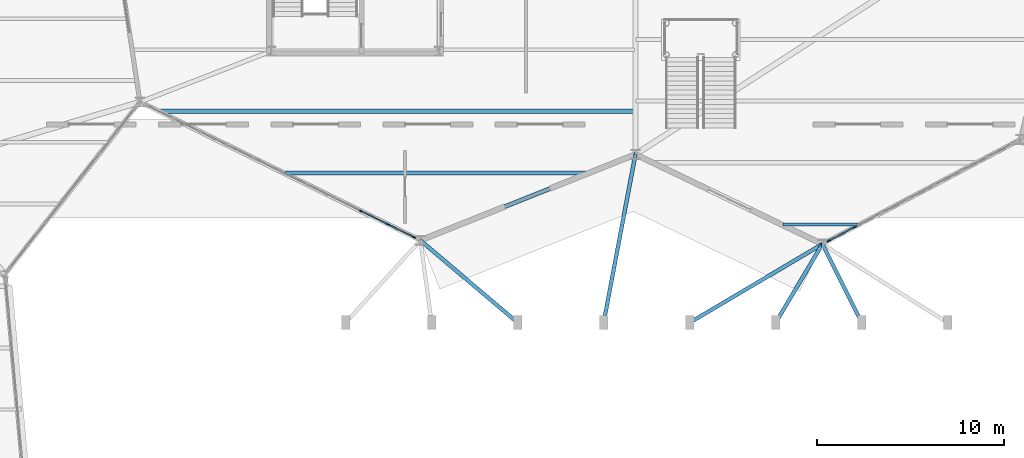
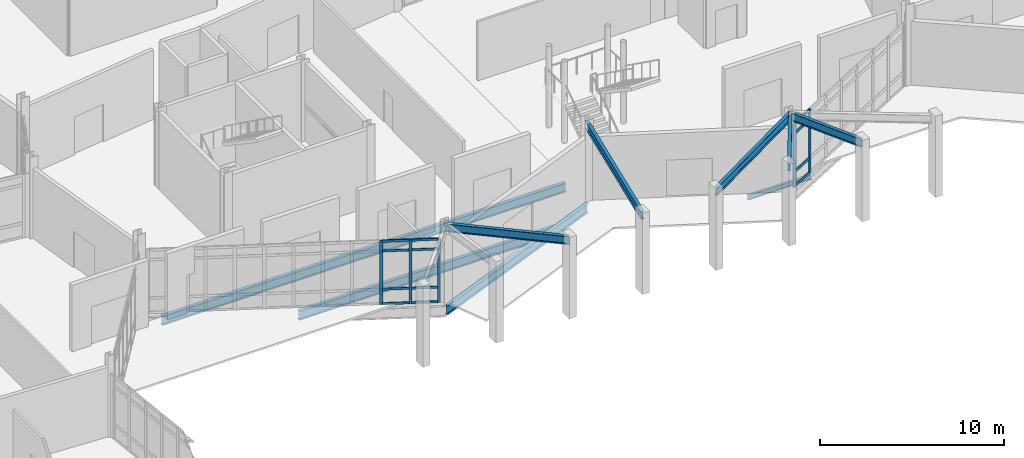
# One storey, part 34 of 113: 17 members, 9 beams, 2 elements without a shape of their own.
"""IFC4 building model written with IfcOpenShell, lengths in metres."""

from ifc_helpers import new_model, si_unit, direction, frame, origin, origin_2d, place, context, subcontext, project, spatial, rectangle, i_section, extrude, material, material_profile, profile_set, type_object, element, aggregate, save


model = new_model("IFC4")

# Units and contexts
model_context = context("Model", 3, precision=1e-05, world=origin(), true_north=direction((0.0, 1.0)))
body_context = subcontext(model_context, "Body", "Model", "MODEL_VIEW")
ifc_project = project(units=[si_unit("LENGTHUNIT", "METRE"), si_unit("AREAUNIT", "SQUARE_METRE"), si_unit("VOLUMEUNIT", "CUBIC_METRE"), si_unit("PLANEANGLEUNIT", "RADIAN"), si_unit("MASSUNIT", "GRAM", prefix="KILO")], contexts=[model_context])

# Site, building, storey
site_placement = place(None, origin())
site = spatial("IfcSite", under=ifc_project, at=site_placement, CompositionType="ELEMENT")
building_placement = place(site_placement, origin())
building = spatial("IfcBuilding", under=site, at=building_placement, Name="Tameran Prism Museum", CompositionType="ELEMENT")
storey_placement = place(building_placement, origin())
storey = spatial("IfcBuildingStorey", under=building, at=storey_placement, Name="L00", CompositionType="ELEMENT", Elevation=0.0)

# Beams
ifc_material_1 = material(Name="Steel Grade 300PLUS (300 MPa)", Category="steel")
ifc_material_profile_1 = material_profile(ifc_material_1, i_section(OverallWidth=0.1650390625, OverallDepth=0.303955078125, WebThickness=0.006103515625, FlangeThickness=0.01025390625, FilletRadius=0.011474609375, at=origin_2d()))
ifc_profile_set_1 = profile_set([ifc_material_profile_1])
beam_type_1 = type_object("IfcBeamType", Name="BM-J310B", PredefinedType="JOIST", material=ifc_profile_set_1)
beam_1_placement = place(storey_placement, frame((85.405029296875, 23.64990234375, -0.39208984375), z_axis=(1.0, 0.0, 0.0), x_axis=(0.0, 1.0, 0.0)))
element("IfcBeam", 1, at=beam_1_placement, inside=storey, type_object=beam_type_1, Name="Floor Beam BM-0209", PredefinedType="JOIST", context=body_context, shape_type="SweptSolid", body=[
    extrude(i_section(OverallWidth=0.1650390625, OverallDepth=0.303955078125, WebThickness=0.006103515625, FlangeThickness=0.01025390625, FilletRadius=0.011474609375, at=origin_2d()), origin(), (0.0, 0.0, 1.0), 3.9970703125),
])
ifc_material_2 = material(Name="Steel Grade 300PLUS (300 MPa)", Category="steel")
ifc_material_profile_2 = material_profile(ifc_material_2, i_section(OverallWidth=0.208984375, OverallDepth=0.528076171875, WebThickness=0.009521484375, FlangeThickness=0.01318359375, FilletRadius=0.013916015625, at=origin_2d()))
ifc_profile_set_2 = profile_set([ifc_material_profile_2])
beam_type_2 = type_object("IfcBeamType", Name="BM-SP530B", PredefinedType="SPANDREL", material=ifc_profile_set_2)
beam_2_placement = place(storey_placement, frame((71.199951171875, 18.39990234375, 4.9599609375), z_axis=(-0.763372690423, 0.645958307878, 0.0), x_axis=(-0.645958307878, -0.763372690423, 0.0)))
element("IfcBeam", 2, at=beam_2_placement, inside=storey, type_object=beam_type_2, Name="Canopy Tie Beam CB-1317", PredefinedType="SPANDREL", context=body_context, shape_type="SweptSolid", body=[
    extrude(i_section(OverallWidth=0.208984375, OverallDepth=0.528076171875, WebThickness=0.009521484375, FlangeThickness=0.01318359375, FilletRadius=0.013916015625, at=origin_2d()), origin(), (0.0, 0.0, 1.0), 6.811767578125),
])
beam_3_placement = place(storey_placement, frame((75.800048828125, 18.39990234375, 4.9599609375), z_axis=(0.185601627328, 0.982625073939, 0.0), x_axis=(-0.982625073939, 0.185601627328, 0.0)))
element("IfcBeam", 3, at=beam_3_placement, inside=storey, type_object=beam_type_2, Name="Canopy Tie Beam CB-1318", PredefinedType="SPANDREL", context=body_context, shape_type="SweptSolid", body=[
    extrude(i_section(OverallWidth=0.208984375, OverallDepth=0.528076171875, WebThickness=0.009521484375, FlangeThickness=0.01318359375, FilletRadius=0.013916015625, at=origin_2d()), origin(), (0.0, 0.0, 1.0), 9.1591796875),
])
beam_4_placement = place(storey_placement, frame((80.39990234375, 18.39990234375, 4.9599609375), z_axis=(0.860677792291, 0.509150015081, 0.0), x_axis=(-0.509150015081, 0.860677792291, 0.0)))
element("IfcBeam", 4, at=beam_4_placement, inside=storey, type_object=beam_type_2, Name="Canopy Tie Beam CB-1319", PredefinedType="SPANDREL", context=body_context, shape_type="SweptSolid", body=[
    extrude(i_section(OverallWidth=0.208984375, OverallDepth=0.528076171875, WebThickness=0.009521484375, FlangeThickness=0.01318359375, FilletRadius=0.013916015625, at=origin_2d()), origin(), (0.0, 0.0, 1.0), 8.24951171875),
])
beam_5_placement = place(storey_placement, frame((85.0, 18.39990234375, 4.9599609375), z_axis=(0.511466297409, 0.859303337952, 0.0), x_axis=(-0.859303337952, 0.511466297409, 0.0)))
element("IfcBeam", 5, at=beam_5_placement, inside=storey, type_object=beam_type_2, Name="Canopy Tie Beam CB-1320", PredefinedType="SPANDREL", context=body_context, shape_type="SweptSolid", body=[
    extrude(i_section(OverallWidth=0.208984375, OverallDepth=0.528076171875, WebThickness=0.009521484375, FlangeThickness=0.01318359375, FilletRadius=0.013916015625, at=origin_2d()), origin(), (0.0, 0.0, 1.0), 4.887939453125),
])
beam_6_placement = place(storey_placement, frame((89.60009765625, 18.39990234375, 4.9599609375), z_axis=(-0.4472135955, 0.894427191, 0.0), x_axis=(-0.894427191, -0.4472135955, 0.0)))
element("IfcBeam", 6, at=beam_6_placement, inside=storey, type_object=beam_type_2, Name="Canopy Tie Beam CB-1321", PredefinedType="SPANDREL", context=body_context, shape_type="SweptSolid", body=[
    extrude(i_section(OverallWidth=0.208984375, OverallDepth=0.528076171875, WebThickness=0.009521484375, FlangeThickness=0.01318359375, FilletRadius=0.013916015625, at=origin_2d()), origin(), (0.0, 0.0, 1.0), 4.696044921875),
])
ifc_material_3 = material(Name="Steel Grade 300PLUS (300 MPa)", Category="steel")
ifc_material_profile_3 = material_profile(ifc_material_3, i_section(OverallWidth=0.22802734375, OverallDepth=0.60205078125, WebThickness=0.010498046875, FlangeThickness=0.014892578125, FilletRadius=0.013916015625, at=origin_2d()))
ifc_profile_set_3 = profile_set([ifc_material_profile_3])
beam_type_3 = type_object("IfcBeamType", Name="BM-SP610", PredefinedType="SPANDREL", material=ifc_profile_set_3)
beam_7_placement = place(storey_placement, frame((66.0, 22.800048828125, -0.541015625), z_axis=(0.928480769028, 0.371380480835, 0.0), x_axis=(-0.371380480835, 0.928480769028, 0.0)))
element("IfcBeam", 7, at=beam_7_placement, inside=storey, type_object=beam_type_3, Name="Perimeter Spandrel SP-0023", PredefinedType="SPANDREL", context=body_context, shape_type="SweptSolid", body=[
    extrude(i_section(OverallWidth=0.22802734375, OverallDepth=0.60205078125, WebThickness=0.010498046875, FlangeThickness=0.014892578125, FilletRadius=0.013916015625, at=origin_2d()), origin(), (0.0, 0.0, 1.0), 12.3857421875),
])
ifc_material_4 = material(Name="Steel Grade 300PLUS (300 MPa)", Category="steel")
ifc_material_profile_4 = material_profile(ifc_material_4, i_section(OverallWidth=0.22802734375, OverallDepth=0.60693359375, WebThickness=0.01123046875, FlangeThickness=0.017333984375, FilletRadius=0.013916015625, at=origin_2d()))
ifc_profile_set_4 = profile_set([ifc_material_profile_4])
beam_type_4 = type_object("IfcBeamType", Name="BM-UB610B", PredefinedType="BEAM", material=ifc_profile_set_4)
beam_8_placement = place(storey_placement, frame((58.79296875, 26.39990234375, -0.54345703125), z_axis=(1.0, 0.0, 0.0), x_axis=(0.0, 1.0, 0.0)))
element("IfcBeam", 8, at=beam_8_placement, inside=storey, type_object=beam_type_4, Name="Floor Beam BM-0199", PredefinedType="BEAM", context=body_context, shape_type="SweptSolid", body=[
    extrude(i_section(OverallWidth=0.22802734375, OverallDepth=0.60693359375, WebThickness=0.01123046875, FlangeThickness=0.017333984375, FilletRadius=0.013916015625, at=origin_2d()), origin(), (0.0, 0.0, 1.0), 16.09912109375),
])
beam_9_placement = place(storey_placement, frame((52.10400390625, 29.699951171875, -0.54345703125), z_axis=(1.0, 0.0, 0.0), x_axis=(0.0, 1.0, 0.0)))
element("IfcBeam", 9, at=beam_9_placement, inside=storey, type_object=beam_type_4, Name="Floor Beam BM-0200", PredefinedType="BEAM", context=body_context, shape_type="SweptSolid", body=[
    extrude(i_section(OverallWidth=0.22802734375, OverallDepth=0.60693359375, WebThickness=0.01123046875, FlangeThickness=0.017333984375, FilletRadius=0.013916015625, at=origin_2d()), origin(), (0.0, 0.0, 1.0), 25.35595703125),
])

# Curtain wall, members
ifc_material_5 = material(Name="Anodised Aluminium 6063-T6 and Cyclone Solar Glass", Category="aluminium")
curtain_wall_type_1 = type_object("IfcCurtainWallType", Name="CW-FAC-1597x422", PredefinedType="USERDEFINED", material=ifc_material_5)
curtain_wall_1_placement = place(storey_placement, origin())
curtain_wall_1 = element("IfcCurtainWall", 10, at=curtain_wall_1_placement, inside=storey, type_object=curtain_wall_type_1, Name="Unitised Curtain Wall CW-028", ObjectType="UNITISED CURTAIN WALL", PredefinedType="USERDEFINED")
ifc_material_6 = material(Name="Anodised Aluminium Alloy 6063-T6", Category="aluminium")
ifc_material_profile_5 = material_profile(ifc_material_6, rectangle(XDim=0.070068359375, YDim=0.179931640625, at=origin_2d()))
ifc_profile_set_5 = profile_set([ifc_material_profile_5])
member_type_1 = type_object("IfcMemberType", Name="CW-MUL-B", PredefinedType="MULLION", material=ifc_profile_set_5)
member_1_placement = place(storey_placement, frame((65.654541015625, 22.970458984375, 0.0), z_axis=(0.0, 0.0, 1.0), x_axis=(-0.442396697666, -0.896819470069, 0.0)))
member_1 = element("IfcMember", 11, at=member_1_placement, type_object=member_type_1, Name="CW-028 mullion 1", PredefinedType="MULLION", context=body_context, shape_type="SweptSolid", body=[
    extrude(rectangle(XDim=0.070068359375, YDim=0.179931640625, at=origin_2d()), origin(), (0.0, 0.0, 1.0), 4.219970703125),
])
member_2_placement = place(storey_placement, frame((64.254150390625, 23.661376953125, 0.0), z_axis=(0.0, 0.0, 1.0), x_axis=(-0.442396697666, -0.896819470069, 0.0)))
member_2 = element("IfcMember", 12, at=member_2_placement, type_object=member_type_1, Name="CW-028 mullion 2", PredefinedType="MULLION", context=body_context, shape_type="SweptSolid", body=[
    extrude(rectangle(XDim=0.070068359375, YDim=0.179931640625, at=origin_2d()), origin(), (0.0, 0.0, 1.0), 4.219970703125),
])
member_3_placement = place(storey_placement, frame((62.822509765625, 24.36767578125, 0.0), z_axis=(0.0, 0.0, 1.0), x_axis=(-0.442396697666, -0.896819470069, 0.0)))
member_3 = element("IfcMember", 13, at=member_3_placement, type_object=member_type_1, Name="CW-028 mullion 3", PredefinedType="MULLION", context=body_context, shape_type="SweptSolid", body=[
    extrude(rectangle(XDim=0.070068359375, YDim=0.179931640625, at=origin_2d()), origin(), (0.0, 0.0, 1.0), 4.219970703125),
])

ifc_material_7 = material(Name="Anodised Aluminium 6063-T6 and Cyclone Solar Glass", Category="aluminium")
curtain_wall_type_2 = type_object("IfcCurtainWallType", Name="CW-FAC-1123x422", PredefinedType="USERDEFINED", material=ifc_material_7)
curtain_wall_2_placement = place(storey_placement, origin())
curtain_wall_2 = element("IfcCurtainWall", 14, at=curtain_wall_2_placement, inside=storey, type_object=curtain_wall_type_2, Name="Unitised Curtain Wall CW-030", ObjectType="UNITISED CURTAIN WALL", PredefinedType="USERDEFINED")
ifc_material_8 = material(Name="Anodised Aluminium Alloy 6063-T6", Category="aluminium")
ifc_material_profile_6 = material_profile(ifc_material_8, rectangle(XDim=0.080078125, YDim=0.219970703125, at=origin_2d()))
ifc_profile_set_6 = profile_set([ifc_material_profile_6])
member_type_2 = type_object("IfcMemberType", Name="CW-MUL-D", PredefinedType="MULLION", material=ifc_profile_set_6)
member_4_placement = place(storey_placement, frame((89.2275390625, 23.512451171875, 0.0), z_axis=(0.0, 0.0, 1.0), x_axis=(0.467155185438, -0.884175340483, 0.0)))
member_4 = element("IfcMember", 15, at=member_4_placement, type_object=member_type_2, Name="CW-030 mullion 7", PredefinedType="MULLION", context=body_context, shape_type="SweptSolid", body=[
    extrude(rectangle(XDim=0.080078125, YDim=0.219970703125, at=origin_2d()), origin(), (0.0, 0.0, 1.0), 4.219970703125),
])
member_5_placement = place(storey_placement, frame((87.844482421875, 22.78173828125, 0.0), z_axis=(0.0, 0.0, 1.0), x_axis=(0.467155185438, -0.884175340483, 0.0)))
member_5 = element("IfcMember", 16, at=member_5_placement, type_object=member_type_2, Name="CW-030 mullion 8", PredefinedType="MULLION", context=body_context, shape_type="SweptSolid", body=[
    extrude(rectangle(XDim=0.080078125, YDim=0.219970703125, at=origin_2d()), origin(), (0.0, 0.0, 1.0), 4.219970703125),
])

# Member
ifc_material_9 = material(Name="Anodised Aluminium Alloy 6063-T6", Category="aluminium")
ifc_material_profile_7 = material_profile(ifc_material_9, rectangle(XDim=0.070068359375, YDim=0.155029296875, at=origin_2d()))
ifc_profile_set_7 = profile_set([ifc_material_profile_7])
member_type_3 = type_object("IfcMemberType", Name="CW-TRN-B", PredefinedType="USERDEFINED", material=ifc_profile_set_7)
member_6_placement = place(storey_placement, frame((65.623291015625, 22.986083984375, 0.034912109375), z_axis=(-0.896869091577, 0.44229609152, 0.0), x_axis=(-0.44229609152, -0.896869091577, 0.0)))
member_6 = element("IfcMember", 17, at=member_6_placement, type_object=member_type_3, Name="CW-028 transom 1.1", ObjectType="TRANSOM", PredefinedType="USERDEFINED", context=body_context, shape_type="SweptSolid", body=[
    extrude(rectangle(XDim=0.070068359375, YDim=0.155029296875, at=origin_2d()), origin(), (0.0, 0.0, 1.0), 1.491455078125),
])

member_7_placement = place(storey_placement, frame((65.623291015625, 22.986083984375, 1.0), z_axis=(-0.896869091577, 0.44229609152, 0.0), x_axis=(-0.44229609152, -0.896869091577, 0.0)))
member_7 = element("IfcMember", 18, at=member_7_placement, type_object=member_type_3, Name="CW-028 transom 1.2", ObjectType="TRANSOM", PredefinedType="USERDEFINED", context=body_context, shape_type="SweptSolid", body=[
    extrude(rectangle(XDim=0.070068359375, YDim=0.155029296875, at=origin_2d()), origin(), (0.0, 0.0, 1.0), 1.491455078125),
])

member_8_placement = place(storey_placement, frame((65.623291015625, 22.986083984375, 3.5400390625), z_axis=(-0.896869091577, 0.44229609152, 0.0), x_axis=(-0.44229609152, -0.896869091577, 0.0)))
member_8 = element("IfcMember", 19, at=member_8_placement, type_object=member_type_3, Name="CW-028 transom 1.3", ObjectType="TRANSOM", PredefinedType="USERDEFINED", context=body_context, shape_type="SweptSolid", body=[
    extrude(rectangle(XDim=0.070068359375, YDim=0.155029296875, at=origin_2d()), origin(), (0.0, 0.0, 1.0), 1.491455078125),
])

member_9_placement = place(storey_placement, frame((65.623291015625, 22.986083984375, 4.18505859375), z_axis=(-0.896869091577, 0.44229609152, 0.0), x_axis=(-0.44229609152, -0.896869091577, 0.0)))
member_9 = element("IfcMember", 20, at=member_9_placement, type_object=member_type_3, Name="CW-028 transom 1.4", ObjectType="TRANSOM", PredefinedType="USERDEFINED", context=body_context, shape_type="SweptSolid", body=[
    extrude(rectangle(XDim=0.070068359375, YDim=0.155029296875, at=origin_2d()), origin(), (0.0, 0.0, 1.0), 1.491455078125),
])

member_10_placement = place(storey_placement, frame((64.222900390625, 23.6767578125, 0.034912109375), z_axis=(-0.896844798652, 0.442345348265, 0.0), x_axis=(-0.442345348265, -0.896844798652, 0.0)))
member_10 = element("IfcMember", 21, at=member_10_placement, type_object=member_type_3, Name="CW-028 transom 2.1", ObjectType="TRANSOM", PredefinedType="USERDEFINED", context=body_context, shape_type="SweptSolid", body=[
    extrude(rectangle(XDim=0.070068359375, YDim=0.155029296875, at=origin_2d()), origin(), (0.0, 0.0, 1.0), 1.526611328125),
])

member_11_placement = place(storey_placement, frame((64.222900390625, 23.6767578125, 1.0), z_axis=(-0.896844798652, 0.442345348265, 0.0), x_axis=(-0.442345348265, -0.896844798652, 0.0)))
member_11 = element("IfcMember", 22, at=member_11_placement, type_object=member_type_3, Name="CW-028 transom 2.2", ObjectType="TRANSOM", PredefinedType="USERDEFINED", context=body_context, shape_type="SweptSolid", body=[
    extrude(rectangle(XDim=0.070068359375, YDim=0.155029296875, at=origin_2d()), origin(), (0.0, 0.0, 1.0), 1.526611328125),
])

member_12_placement = place(storey_placement, frame((64.222900390625, 23.6767578125, 3.5400390625), z_axis=(-0.896844798652, 0.442345348265, 0.0), x_axis=(-0.442345348265, -0.896844798652, 0.0)))
member_12 = element("IfcMember", 23, at=member_12_placement, type_object=member_type_3, Name="CW-028 transom 2.3", ObjectType="TRANSOM", PredefinedType="USERDEFINED", context=body_context, shape_type="SweptSolid", body=[
    extrude(rectangle(XDim=0.070068359375, YDim=0.155029296875, at=origin_2d()), origin(), (0.0, 0.0, 1.0), 1.526611328125),
])

member_13_placement = place(storey_placement, frame((64.222900390625, 23.6767578125, 4.18505859375), z_axis=(-0.896844798652, 0.442345348265, 0.0), x_axis=(-0.442345348265, -0.896844798652, 0.0)))
member_13 = element("IfcMember", 24, at=member_13_placement, type_object=member_type_3, Name="CW-028 transom 2.4", ObjectType="TRANSOM", PredefinedType="USERDEFINED", context=body_context, shape_type="SweptSolid", body=[
    extrude(rectangle(XDim=0.070068359375, YDim=0.155029296875, at=origin_2d()), origin(), (0.0, 0.0, 1.0), 1.526611328125),
])

aggregate(curtain_wall_1, [member_1, member_2, member_3, member_6, member_7, member_8, member_9, member_10, member_11, member_12, member_13])

ifc_material_10 = material(Name="Anodised Aluminium Alloy 6063-T6", Category="aluminium")
ifc_material_profile_8 = material_profile(ifc_material_10, rectangle(XDim=0.080078125, YDim=0.195068359375, at=origin_2d()))
ifc_profile_set_8 = profile_set([ifc_material_profile_8])
member_type_4 = type_object("IfcMemberType", Name="CW-TRN-D", PredefinedType="USERDEFINED", material=ifc_profile_set_8)
member_14_placement = place(storey_placement, frame((89.192138671875, 23.49365234375, 0.0400390625), z_axis=(-0.884203637637, -0.467101624049, 0.0), x_axis=(0.467101624049, -0.884203637637, 0.0)))
member_14 = element("IfcMember", 25, at=member_14_placement, type_object=member_type_4, Name="CW-030 transom 7.1", ObjectType="TRANSOM", PredefinedType="USERDEFINED", context=body_context, shape_type="SweptSolid", body=[
    extrude(rectangle(XDim=0.080078125, YDim=0.195068359375, at=origin_2d()), origin(), (0.0, 0.0, 1.0), 1.484375),
])

member_15_placement = place(storey_placement, frame((89.192138671875, 23.49365234375, 1.0), z_axis=(-0.884203637637, -0.467101624049, 0.0), x_axis=(0.467101624049, -0.884203637637, 0.0)))
member_15 = element("IfcMember", 26, at=member_15_placement, type_object=member_type_4, Name="CW-030 transom 7.2", ObjectType="TRANSOM", PredefinedType="USERDEFINED", context=body_context, shape_type="SweptSolid", body=[
    extrude(rectangle(XDim=0.080078125, YDim=0.195068359375, at=origin_2d()), origin(), (0.0, 0.0, 1.0), 1.484375),
])

member_16_placement = place(storey_placement, frame((89.192138671875, 23.49365234375, 3.5400390625), z_axis=(-0.884203637637, -0.467101624049, 0.0), x_axis=(0.467101624049, -0.884203637637, 0.0)))
member_16 = element("IfcMember", 27, at=member_16_placement, type_object=member_type_4, Name="CW-030 transom 7.3", ObjectType="TRANSOM", PredefinedType="USERDEFINED", context=body_context, shape_type="SweptSolid", body=[
    extrude(rectangle(XDim=0.080078125, YDim=0.195068359375, at=origin_2d()), origin(), (0.0, 0.0, 1.0), 1.484375),
])

member_17_placement = place(storey_placement, frame((89.192138671875, 23.49365234375, 4.179931640625), z_axis=(-0.884203637637, -0.467101624049, 0.0), x_axis=(0.467101624049, -0.884203637637, 0.0)))
member_17 = element("IfcMember", 28, at=member_17_placement, type_object=member_type_4, Name="CW-030 transom 7.4", ObjectType="TRANSOM", PredefinedType="USERDEFINED", context=body_context, shape_type="SweptSolid", body=[
    extrude(rectangle(XDim=0.080078125, YDim=0.195068359375, at=origin_2d()), origin(), (0.0, 0.0, 1.0), 1.484375),
])

aggregate(curtain_wall_2, [member_4, member_5, member_14, member_15, member_16, member_17])

save(model, "model.ifc")
